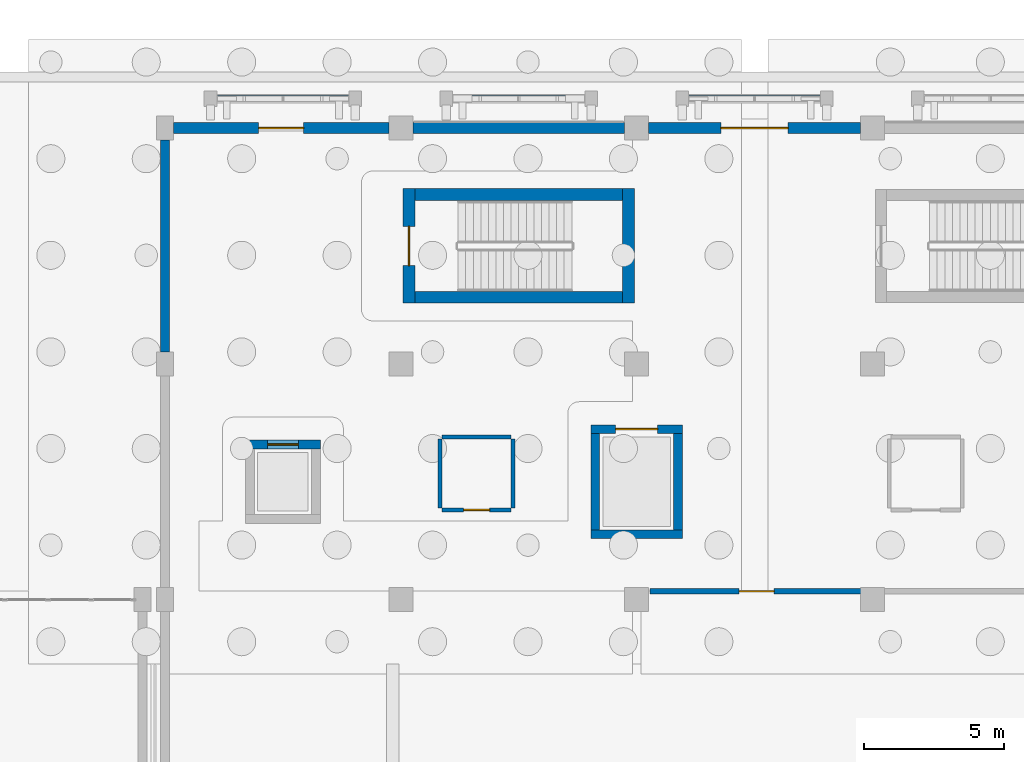
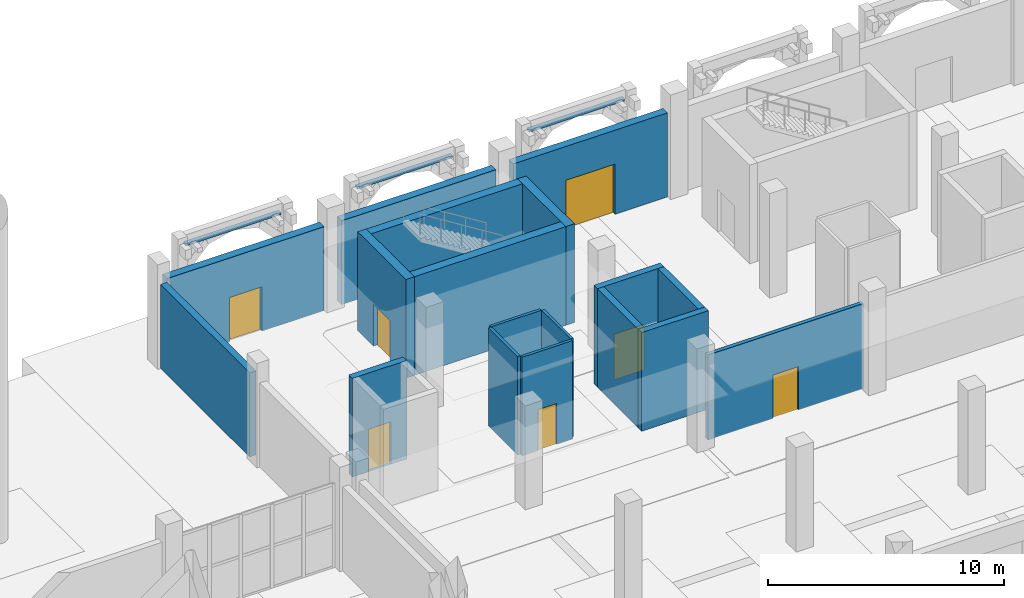
# One storey, part 71 of 98: 21 walls, 7 doors, 7 openings.
"""IFC4 building model written with IfcOpenShell, lengths in metres."""

from ifc_helpers import new_model, si_unit, direction, frame, frame_2d, origin, place, context, subcontext, project, spatial, rectangle, extrude, material, layer, layer_set, type_object, element, fill, save


model = new_model("IFC4")

# Units and contexts
model_context = context("Model", 3, precision=1e-05, world=origin(), true_north=direction((0.0, 1.0)))
body_context = subcontext(model_context, "Body", "Model", "MODEL_VIEW")
ifc_project = project(units=[si_unit("LENGTHUNIT", "METRE"), si_unit("AREAUNIT", "SQUARE_METRE"), si_unit("VOLUMEUNIT", "CUBIC_METRE"), si_unit("PLANEANGLEUNIT", "RADIAN"), si_unit("MASSUNIT", "GRAM", prefix="KILO")], contexts=[model_context])

# Site, building, storey
site_placement = place(None, origin())
site = spatial("IfcSite", under=ifc_project, at=site_placement, CompositionType="ELEMENT")
building_placement = place(site_placement, origin())
building = spatial("IfcBuilding", under=site, at=building_placement, Name="Xazarin Passage Department Store", CompositionType="ELEMENT")
storey_placement = place(building_placement, origin())
storey = spatial("IfcBuildingStorey", under=building, at=storey_placement, Name="L00", CompositionType="ELEMENT", Elevation=0.0)

# Wall, opening, door
ifc_material_1 = material(Name="Buff Baku clay brick", Category="masonry")
ifc_layer_1 = layer(ifc_material_1, 0.18505859375)
ifc_layer_set_1 = layer_set([ifc_layer_1], Name="Buff Baku clay brick")
wall_type_1 = type_object("IfcWallType", Name="ARC-W-CMP185", PredefinedType="PARTITIONING", material=ifc_layer_set_1)
wall_1_placement = place(storey_placement, frame((119.669921875, 93.5, 0.0), z_axis=(0.0, 0.0, 1.0), x_axis=(1.0, 0.0, 0.0)))
wall_1 = element("IfcWall", 1, at=wall_1_placement, inside=storey, type_object=wall_type_1, Name="L00 Mechanical Plant Room Front Wall 0081", PredefinedType="PARTITIONING", context=body_context, shape_type="SweptSolid", body=[
    extrude(rectangle(XDim=7.610107421875, YDim=0.18505859375, at=frame_2d((3.80517578125, 0.0))), origin(), (0.0, 0.0, 1.0), 4.39990234375),
])
opening_1_placement = place(wall_1_placement, frame((3.179931640625, 0.0, 0.0)))
opening_1 = element("IfcOpeningElement", 2, at=opening_1_placement, cuts=wall_1, Name="Opening FD9", PredefinedType="OPENING", context=body_context, shape_type="SweptSolid", body=[
    extrude(rectangle(XDim=1.25, YDim=2.25, at=frame_2d((0.625, 1.125))), frame((0.0, 0.1025390625, 0.0), z_axis=(0.0, -1.0, 0.0), x_axis=(1.0, 0.0, 0.0)), (0.0, 0.0, 1.0), 0.205078125),
])
ifc_material_2 = material(Name="Steel S355", Category="steel")
door_type_1 = type_object("IfcDoorType", Name="ARC-DR-PLT125", OperationType="NOTDEFINED", PredefinedType="DOOR", material=ifc_material_2)
door_1_placement = place(opening_1_placement, origin())
door_1 = element("IfcDoor", 3, at=door_1_placement, inside=storey, type_object=door_type_1, Name="DR-INT-L00-0081", OperationType="SINGLE_SWING_LEFT", OverallHeight=2.25, OverallWidth=1.25, PredefinedType="DOOR", context=body_context, shape_type="SweptSolid", body=[
    extrude(rectangle(XDim=1.25, YDim=2.25, at=frame_2d((0.625, 1.125))), frame((0.0, 0.02490234375, 0.0), z_axis=(0.0, -1.0, 0.0), x_axis=(1.0, 0.0, 0.0)), (0.0, 0.0, 1.0), 0.050048828125),
])
fill(opening_1, door_1)

ifc_material_3 = material(Name="Concrete C35/45", Category="concrete")
ifc_layer_2 = layer(ifc_material_3, 0.3798828125)
ifc_layer_set_2 = layer_set([ifc_layer_2], Name="Concrete C35/45")
wall_type_2 = type_object("IfcWallType", Name="ARC-W-DCK380", PredefinedType="SOLIDWALL", material=ifc_layer_set_2)
wall_2_placement = place(storey_placement, frame((102.699951171875, 110.0, 0.0), z_axis=(0.0, 0.0, 1.0), x_axis=(1.0, 0.0, 0.0)))
wall_2 = element("IfcWall", 4, at=wall_2_placement, inside=storey, type_object=wall_type_2, Name="L00 V4 Exterior Wall 255", PredefinedType="SOLIDWALL", context=body_context, shape_type="SweptSolid", body=[
    extrude(rectangle(XDim=7.675048828125, YDim=0.3798828125, at=frame_2d((3.83740234375, 0.0))), origin(), (0.0, 0.0, 1.0), 4.35009765625),
])
opening_2_placement = place(wall_2_placement, frame((3.03759765625, 0.0, 0.0)))
opening_2 = element("IfcOpeningElement", 5, at=opening_2_placement, cuts=wall_2, Name="Opening ED5", PredefinedType="OPENING", context=body_context, shape_type="SweptSolid", body=[
    extrude(rectangle(XDim=1.60009765625, YDim=2.300048828125, at=frame_2d((0.800048828125, 1.14990234375))), frame((0.0, 0.199951171875, 0.0), z_axis=(0.0, -1.0, 0.0), x_axis=(1.0, 0.0, 0.0)), (0.0, 0.0, 1.0), 0.39990234375),
])
door_type_2 = type_object("IfcDoorType", Name="ARC-DR-EXT160", OperationType="NOTDEFINED", PredefinedType="DOOR", material=ifc_material_2)
door_2_placement = place(opening_2_placement, origin())
door_2 = element("IfcDoor", 6, at=door_2_placement, inside=storey, type_object=door_type_2, Name="DR-EXT-025", OperationType="SINGLE_SWING_RIGHT", OverallHeight=2.300048828125, OverallWidth=1.60009765625, PredefinedType="DOOR", context=body_context, shape_type="SweptSolid", body=[
    extrude(rectangle(XDim=1.60009765625, YDim=2.300048828125, at=frame_2d((0.800048828125, 1.14990234375))), frame((0.0, 0.02490234375, 0.0), z_axis=(0.0, -1.0, 0.0), x_axis=(1.0, 0.0, 0.0)), (0.0, 0.0, 1.0), 0.050048828125),
])
fill(opening_2, door_2)

# Wall
wall_3_placement = place(storey_placement, frame((111.22509765625, 110.0, 0.0), z_axis=(0.0, 0.0, 1.0), x_axis=(1.0, 0.0, 0.0)))
element("IfcWall", 7, at=wall_3_placement, inside=storey, type_object=wall_type_2, Name="L00 V4 Exterior Wall 256", PredefinedType="SOLIDWALL", context=body_context, shape_type="SweptSolid", body=[
    extrude(rectangle(XDim=7.5498046875, YDim=0.3798828125, at=frame_2d((3.77490234375, 0.0))), origin(), (0.0, 0.0, 1.0), 4.35009765625),
])

# Wall, opening, door
wall_4_placement = place(storey_placement, frame((119.625, 110.0, 0.0), z_axis=(0.0, 0.0, 1.0), x_axis=(1.0, 0.0, 0.0)))
wall_4 = element("IfcWall", 8, at=wall_4_placement, inside=storey, type_object=wall_type_2, Name="L00 V4 Exterior Wall 257", PredefinedType="SOLIDWALL", context=body_context, shape_type="SweptSolid", body=[
    extrude(rectangle(XDim=7.550048828125, YDim=0.3798828125, at=frame_2d((3.77490234375, 0.0))), origin(), (0.0, 0.0, 1.0), 4.35009765625),
])
opening_3_placement = place(wall_4_placement, frame((2.574951171875, 0.0, 0.0)))
opening_3 = element("IfcOpeningElement", 9, at=opening_3_placement, cuts=wall_4, Name="Opening ED1", PredefinedType="OPENING", context=body_context, shape_type="SweptSolid", body=[
    extrude(rectangle(XDim=2.39990234375, YDim=2.60009765625, at=frame_2d((1.199951171875, 1.300048828125))), frame((0.0, 0.199951171875, 0.0), z_axis=(0.0, -1.0, 0.0), x_axis=(1.0, 0.0, 0.0)), (0.0, 0.0, 1.0), 0.39990234375),
])
ifc_material_4 = material(Name="Bronze anodised aluminium", Category="aluminium")
door_type_3 = type_object("IfcDoorType", Name="ARC-DR-ENT240", OperationType="NOTDEFINED", PredefinedType="DOOR", material=ifc_material_4)
door_3_placement = place(opening_3_placement, origin())
door_3 = element("IfcDoor", 10, at=door_3_placement, inside=storey, type_object=door_type_3, Name="DR-EXT-026", OperationType="DOUBLE_DOOR_SINGLE_SWING", OverallHeight=2.60009765625, OverallWidth=2.39990234375, PredefinedType="DOOR", context=body_context, shape_type="SweptSolid", body=[
    extrude(rectangle(XDim=2.39990234375, YDim=2.60009765625, at=frame_2d((1.199951171875, 1.300048828125))), frame((0.0, 0.02490234375, 0.0), z_axis=(0.0, -1.0, 0.0), x_axis=(1.0, 0.0, 0.0)), (0.0, 0.0, 1.0), 0.050048828125),
])
fill(opening_3, door_3)

# Walls
ifc_layer_3 = layer(ifc_material_1, 0.320068359375)
ifc_layer_set_3 = layer_set([ifc_layer_3], Name="Buff Baku clay brick")
wall_type_3 = type_object("IfcWallType", Name="ARC-W-EXT320", PredefinedType="SOLIDWALL", material=ifc_layer_set_3)
wall_5_placement = place(storey_placement, frame((102.39990234375, 102.02490234375, 0.0), z_axis=(0.0, 0.0, 1.0), x_axis=(0.0, 1.0, 0.0)))
element("IfcWall", 11, at=wall_5_placement, inside=storey, type_object=wall_type_3, Name="L00 V4 Exterior Wall 266", PredefinedType="SOLIDWALL", context=body_context, shape_type="SweptSolid", body=[
    extrude(rectangle(XDim=7.550048828125, YDim=0.320068359375, at=frame_2d((3.77490234375, 0.0))), origin(), (0.0, 0.0, 1.0), 4.35009765625),
])
ifc_material_5 = material(Name="Precast concrete C40/50", Category="concrete")
ifc_layer_4 = layer(ifc_material_5, 0.2099609375)
ifc_layer_set_4 = layer_set([ifc_layer_4], Name="Precast concrete C40/50")
wall_type_4 = type_object("IfcWallType", Name="ARC-W-PAR210", PredefinedType="PARAPET", material=ifc_layer_set_4)
wall_6_placement = place(storey_placement, frame((104.27001953125, 111.050048828125, 4.780029296875), z_axis=(0.0, 0.0, 1.0), x_axis=(1.0, 0.0, 0.0)))
element("IfcWall", 12, at=wall_6_placement, inside=storey, type_object=wall_type_4, Name="L00 V4 Pierced-Arch Spandrel Lintel 0145", PredefinedType="PARAPET", context=body_context, shape_type="SweptSolid", body=[
    extrude(rectangle(XDim=4.659912109375, YDim=0.2099609375, at=frame_2d((2.330078125, 0.0))), origin(), (0.0, 0.0, 1.0), 0.119873046875),
])
wall_7_placement = place(storey_placement, frame((112.669921875, 111.050048828125, 4.780029296875), z_axis=(0.0, 0.0, 1.0), x_axis=(1.0, 0.0, 0.0)))
element("IfcWall", 13, at=wall_7_placement, inside=storey, type_object=wall_type_4, Name="L00 V4 Pierced-Arch Spandrel Lintel 0149", PredefinedType="PARAPET", context=body_context, shape_type="SweptSolid", body=[
    extrude(rectangle(XDim=4.66015625, YDim=0.2099609375, at=frame_2d((2.330078125, 0.0))), origin(), (0.0, 0.0, 1.0), 0.119873046875),
])
wall_8_placement = place(storey_placement, frame((121.070068359375, 111.050048828125, 4.780029296875), z_axis=(0.0, 0.0, 1.0), x_axis=(1.0, 0.0, 0.0)))
element("IfcWall", 14, at=wall_8_placement, inside=storey, type_object=wall_type_4, Name="L00 V4 Pierced-Arch Spandrel Lintel 0153", PredefinedType="PARAPET", context=body_context, shape_type="SweptSolid", body=[
    extrude(rectangle(XDim=4.659912109375, YDim=0.2099609375, at=frame_2d((2.330078125, 0.0))), origin(), (0.0, 0.0, 1.0), 0.119873046875),
])

# Wall, opening, door
ifc_material_6 = material(Name="Moisture-resistant masonry partition", Category="masonry")
ifc_layer_5 = layer(ifc_material_6, 0.139892578125)
ifc_layer_set_5 = layer_set([ifc_layer_5], Name="Moisture-resistant masonry partition")
wall_type_5 = type_object("IfcWallType", Name="ARC-W-PRT140", PredefinedType="PARTITIONING", material=ifc_layer_set_5)
wall_9_placement = place(storey_placement, frame((112.27001953125, 96.39990234375, 0.0), z_axis=(0.0, 0.0, 1.0), x_axis=(1.0, 0.0, 0.0)))
wall_9 = element("IfcWall", 15, at=wall_9_placement, inside=storey, type_object=wall_type_5, Name="L00 Staff WC 0073", PredefinedType="PARTITIONING", context=body_context, shape_type="SweptSolid", body=[
    extrude(rectangle(XDim=2.4599609375, YDim=0.139892578125, at=frame_2d((1.22998046875, 0.0))), origin(), (0.0, 0.0, 1.0), 5.10009765625),
])
opening_4_placement = place(wall_9_placement, frame((0.77001953125, 0.0, 0.0)))
opening_4 = element("IfcOpeningElement", 16, at=opening_4_placement, cuts=wall_9, Name="Opening ID1", PredefinedType="OPENING", context=body_context, shape_type="SweptSolid", body=[
    extrude(rectangle(XDim=0.919921875, YDim=2.1201171875, at=frame_2d((0.4599609375, 1.06005859375))), frame((0.0, 0.079833984375, 0.0), z_axis=(0.0, -1.0, 0.0), x_axis=(1.0, 0.0, 0.0)), (0.0, 0.0, 1.0), 0.159912109375),
])
ifc_material_7 = material(Name="Timber acoustic leaf", Category="wood")
door_type_4 = type_object("IfcDoorType", Name="ARC-DR-WC092", OperationType="NOTDEFINED", PredefinedType="DOOR", material=ifc_material_7)
door_4_placement = place(opening_4_placement, origin())
door_4 = element("IfcDoor", 17, at=door_4_placement, inside=storey, type_object=door_type_4, Name="DR-INT-L00-0073", OperationType="SINGLE_SWING_LEFT", OverallHeight=2.1201171875, OverallWidth=0.919921875, PredefinedType="DOOR", context=body_context, shape_type="SweptSolid", body=[
    extrude(rectangle(XDim=0.919921875, YDim=2.1201171875, at=frame_2d((0.4599609375, 1.06005859375))), frame((0.0, 0.02490234375, 0.0), z_axis=(0.0, -1.0, 0.0), x_axis=(1.0, 0.0, 0.0)), (0.0, 0.0, 1.0), 0.050048828125),
])
fill(opening_4, door_4)

# Walls
for number, where, z_axis, x_axis, name in (
    (18, (112.27001953125, 99.0, 0.0), (0.0, 0.0, 1.0), (1.0, 0.0, 0.0), "L00 Staff WC Back Wall 0074"),
    (19, (112.199951171875, 96.469970703125, 0.0), (0.0, 0.0, 1.0), (0.0, 1.0, 0.0), "L00 Staff WC Side Wall 0075"),
    (20, (114.800048828125, 96.469970703125, 0.0), (0.0, 0.0, 1.0), (0.0, 1.0, 0.0), "L00 Staff WC Side Wall 0076"),
):
    element("IfcWall", number, at=place(storey_placement, frame(where, z_axis=z_axis, x_axis=x_axis)), inside=storey, type_object=wall_type_5, Name=name, PredefinedType="PARTITIONING", context=body_context, shape_type="SweptSolid", body=[
        extrude(rectangle(XDim=2.4599609375, YDim=0.139892578125, at=frame_2d((1.22998046875, 0.0))), origin(), (0.0, 0.0, 1.0), 5.10009765625),
    ])

# Wall, opening, door
ifc_material_8 = material(Name="Concrete C40/50", Category="concrete")
ifc_layer_6 = layer(ifc_material_8, 0.31005859375)
ifc_layer_set_6 = layer_set([ifc_layer_6], Name="Concrete C40/50")
wall_type_6 = type_object("IfcWallType", Name="STR-W-LFT310", PredefinedType="SHEAR", material=ifc_layer_set_6)
wall_10_placement = place(storey_placement, frame((105.27001953125, 98.72509765625, 0.0), z_axis=(0.0, 0.0, 1.0), x_axis=(1.0, 0.0, 0.0)))
wall_10 = element("IfcWall", 21, at=wall_10_placement, inside=storey, type_object=wall_type_6, Name="L00 Lift PL5 Shaft Wall North", PredefinedType="SHEAR", context=body_context, shape_type="SweptSolid", body=[
    extrude(rectangle(XDim=2.659912109375, YDim=0.31005859375, at=frame_2d((1.330078125, 0.0))), origin(), (0.0, 0.0, 1.0), 5.10009765625),
])
opening_5_placement = place(wall_10_placement, frame((0.780029296875, 0.0, 0.0)))
opening_5 = element("IfcOpeningElement", 22, at=opening_5_placement, cuts=wall_10, Name="Opening LD-PL5-L00", PredefinedType="OPENING", context=body_context, shape_type="SweptSolid", body=[
    extrude(rectangle(XDim=1.10009765625, YDim=2.199951171875, at=frame_2d((0.550048828125, 1.10009765625))), frame((0.0, 0.1650390625, 0.0), z_axis=(0.0, -1.0, 0.0), x_axis=(1.0, 0.0, 0.0)), (0.0, 0.0, 1.0), 0.330078125),
])
door_type_5 = type_object("IfcDoorType", Name="ARC-DR-LD110", OperationType="NOTDEFINED", PredefinedType="DOOR", material=ifc_material_2)
door_5_placement = place(opening_5_placement, origin())
door_5 = element("IfcDoor", 23, at=door_5_placement, inside=storey, type_object=door_type_5, Name="DR-LD-PL5-L00", OperationType="SLIDING_TO_LEFT", OverallHeight=2.199951171875, OverallWidth=1.10009765625, PredefinedType="DOOR", context=body_context, shape_type="SweptSolid", body=[
    extrude(rectangle(XDim=1.10009765625, YDim=2.199951171875, at=frame_2d((0.550048828125, 1.10009765625))), frame((0.0, 0.02490234375, 0.0), z_axis=(0.0, -1.0, 0.0), x_axis=(1.0, 0.0, 0.0)), (0.0, 0.0, 1.0), 0.050048828125),
])
fill(opening_5, door_5)

# Wall
wall_11_placement = place(storey_placement, frame((117.570068359375, 95.52490234375, 0.0), z_axis=(0.0, 0.0, 1.0), x_axis=(1.0, 0.0, 0.0)))
element("IfcWall", 24, at=wall_11_placement, inside=storey, type_object=wall_type_6, Name="L00 Lift GL1 Shaft Wall South", PredefinedType="SHEAR", context=body_context, shape_type="SweptSolid", body=[
    extrude(rectangle(XDim=3.260009765625, YDim=0.31005859375, at=frame_2d((1.6298828125, 0.0))), origin(), (0.0, 0.0, 1.0), 5.10009765625),
])

# Wall, opening, door
wall_12_placement = place(storey_placement, frame((117.570068359375, 99.27490234375, 0.0), z_axis=(0.0, 0.0, 1.0), x_axis=(1.0, 0.0, 0.0)))
wall_12 = element("IfcWall", 25, at=wall_12_placement, inside=storey, type_object=wall_type_6, Name="L00 Lift GL1 Shaft Wall North", PredefinedType="SHEAR", context=body_context, shape_type="SweptSolid", body=[
    extrude(rectangle(XDim=3.260009765625, YDim=0.31005859375, at=frame_2d((1.6298828125, 0.0))), origin(), (0.0, 0.0, 1.0), 5.10009765625),
])
opening_6_placement = place(wall_12_placement, frame((0.8798828125, 0.0, 0.0)))
opening_6 = element("IfcOpeningElement", 26, at=opening_6_placement, cuts=wall_12, Name="Opening LD-GL1-L00", PredefinedType="OPENING", context=body_context, shape_type="SweptSolid", body=[
    extrude(rectangle(XDim=1.5, YDim=2.35009765625, at=frame_2d((0.75, 1.175048828125))), frame((0.0, 0.1650390625, 0.0), z_axis=(0.0, -1.0, 0.0), x_axis=(1.0, 0.0, 0.0)), (0.0, 0.0, 1.0), 0.330078125),
])
door_type_6 = type_object("IfcDoorType", Name="ARC-DR-LD150", OperationType="NOTDEFINED", PredefinedType="DOOR", material=ifc_material_2)
door_6_placement = place(opening_6_placement, origin())
door_6 = element("IfcDoor", 27, at=door_6_placement, inside=storey, type_object=door_type_6, Name="DR-LD-GL1-L00", OperationType="SLIDING_TO_LEFT", OverallHeight=2.35009765625, OverallWidth=1.5, PredefinedType="DOOR", context=body_context, shape_type="SweptSolid", body=[
    extrude(rectangle(XDim=1.5, YDim=2.35009765625, at=frame_2d((0.75, 1.175048828125))), frame((0.0, 0.02490234375, 0.0), z_axis=(0.0, -1.0, 0.0), x_axis=(1.0, 0.0, 0.0)), (0.0, 0.0, 1.0), 0.050048828125),
])
fill(opening_6, door_6)

# Walls
for number, where, z_axis, x_axis, name in (
    (28, (117.72509765625, 95.679931640625, 0.0), (0.0, 0.0, 1.0), (0.0, 1.0, 0.0), "L00 Lift GL1 Shaft Wall West"),
    (29, (120.675048828125, 95.679931640625, 0.0), (0.0, 0.0, 1.0), (0.0, 1.0, 0.0), "L00 Lift GL1 Shaft Wall East"),
):
    element("IfcWall", number, at=place(storey_placement, frame(where, z_axis=z_axis, x_axis=x_axis)), inside=storey, type_object=wall_type_6, Name=name, PredefinedType="SHEAR", context=body_context, shape_type="SweptSolid", body=[
        extrude(rectangle(XDim=3.440185546875, YDim=0.31005859375, at=frame_2d((1.72021484375, 0.0))), origin(), (0.0, 0.0, 1.0), 5.10009765625),
    ])

# Wall, opening, door
ifc_layer_7 = layer(ifc_material_8, 0.419921875)
ifc_layer_set_7 = layer_set([ifc_layer_7], Name="Concrete C40/50")
wall_type_7 = type_object("IfcWallType", Name="STR-W-SHR420", PredefinedType="SHEAR", material=ifc_layer_set_7)
wall_13_placement = place(storey_placement, frame((111.090087890625, 103.760009765625, 0.0), z_axis=(0.0, 0.0, 1.0), x_axis=(0.0, 1.0, 0.0)))
wall_13 = element("IfcWall", 30, at=wall_13_placement, inside=storey, type_object=wall_type_7, Name="L00 Core K10 West Shear Wall", PredefinedType="SHEAR", context=body_context, shape_type="SweptSolid", body=[
    extrude(rectangle(XDim=4.080078125, YDim=0.419921875, at=frame_2d((2.0400390625, 0.0))), origin(), (0.0, 0.0, 1.0), 5.10009765625),
])
opening_7_placement = place(wall_13_placement, frame((1.340087890625, 0.0, 0.0)))
opening_7 = element("IfcOpeningElement", 31, at=opening_7_placement, cuts=wall_13, Name="Opening FD2", PredefinedType="OPENING", context=body_context, shape_type="SweptSolid", body=[
    extrude(rectangle(XDim=1.39990234375, YDim=2.14990234375, at=frame_2d((0.699951171875, 1.074951171875))), frame((0.0, 0.219970703125, 0.0), z_axis=(0.0, -1.0, 0.0), x_axis=(1.0, 0.0, 0.0)), (0.0, 0.0, 1.0), 0.43994140625),
])
door_type_7 = type_object("IfcDoorType", Name="ARC-DR-STR140", OperationType="NOTDEFINED", PredefinedType="DOOR", material=ifc_material_2)
door_7_placement = place(opening_7_placement, origin())
door_7 = element("IfcDoor", 32, at=door_7_placement, inside=storey, type_object=door_type_7, Name="DR-STR-K10-L00", OperationType="SINGLE_SWING_RIGHT", OverallHeight=2.14990234375, OverallWidth=1.39990234375, PredefinedType="DOOR", context=body_context, shape_type="SweptSolid", body=[
    extrude(rectangle(XDim=1.39990234375, YDim=2.14990234375, at=frame_2d((0.699951171875, 1.074951171875))), frame((0.0, 0.02490234375, 0.0), z_axis=(0.0, -1.0, 0.0), x_axis=(1.0, 0.0, 0.0)), (0.0, 0.0, 1.0), 0.050048828125),
])
fill(opening_7, door_7)

# Walls
wall_14_placement = place(storey_placement, frame((118.909912109375, 103.760009765625, 0.0), z_axis=(0.0, 0.0, 1.0), x_axis=(0.0, 1.0, 0.0)))
element("IfcWall", 33, at=wall_14_placement, inside=storey, type_object=wall_type_7, Name="L00 Core K10 East Shear Wall", PredefinedType="SHEAR", context=body_context, shape_type="SweptSolid", body=[
    extrude(rectangle(XDim=4.080078125, YDim=0.419921875, at=frame_2d((2.0400390625, 0.0))), origin(), (0.0, 0.0, 1.0), 5.10009765625),
])
for number, where, z_axis, x_axis, name in (
    (34, (111.300048828125, 103.969970703125, 0.0), (0.0, 0.0, 1.0), (1.0, 0.0, 0.0), "L00 Core K10 South Shear Wall"),
    (35, (111.300048828125, 107.6298828125, 0.0), (0.0, 0.0, 1.0), (1.0, 0.0, 0.0), "L00 Core K10 North Shear Wall"),
):
    element("IfcWall", number, at=place(storey_placement, frame(where, z_axis=z_axis, x_axis=x_axis)), inside=storey, type_object=wall_type_7, Name=name, PredefinedType="SHEAR", context=body_context, shape_type="SweptSolid", body=[
        extrude(rectangle(XDim=7.39990234375, YDim=0.419921875, at=frame_2d((3.699951171875, 0.0))), origin(), (0.0, 0.0, 1.0), 5.10009765625),
    ])

save(model, "model.ifc")
